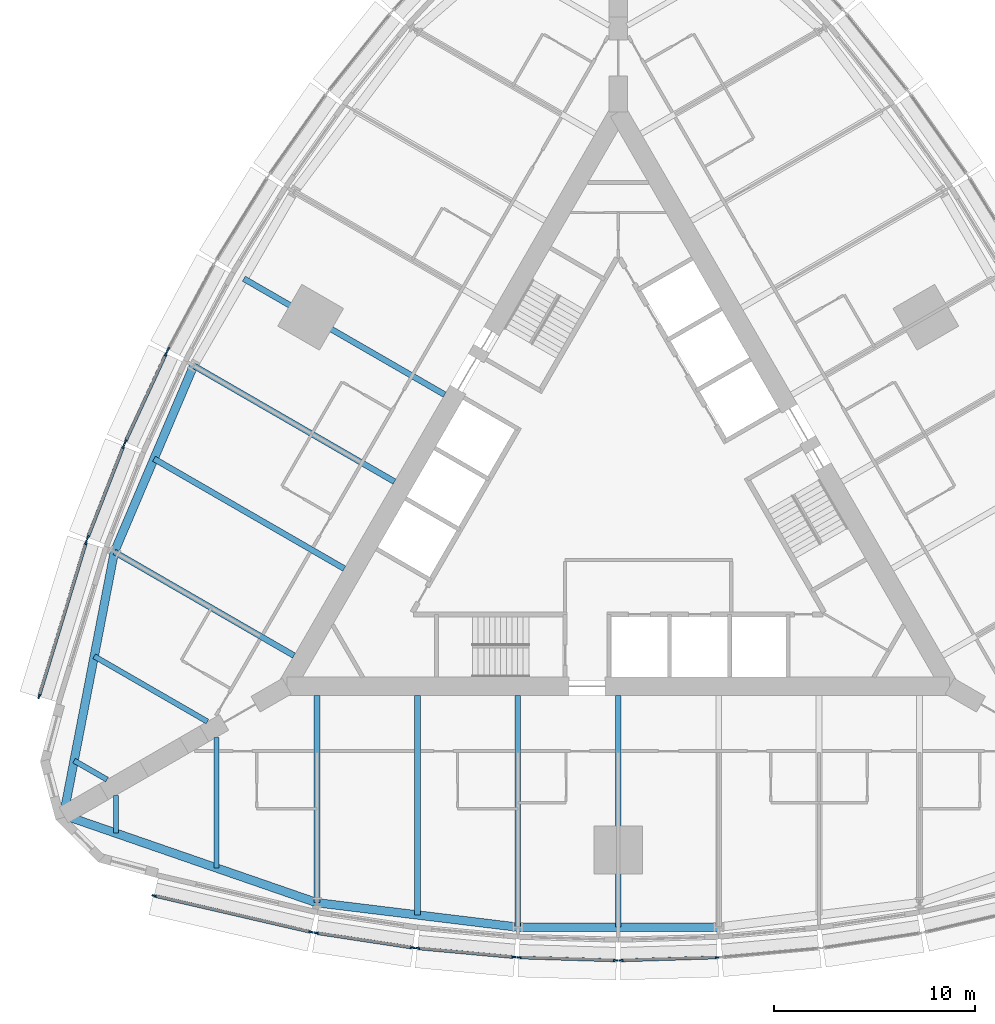
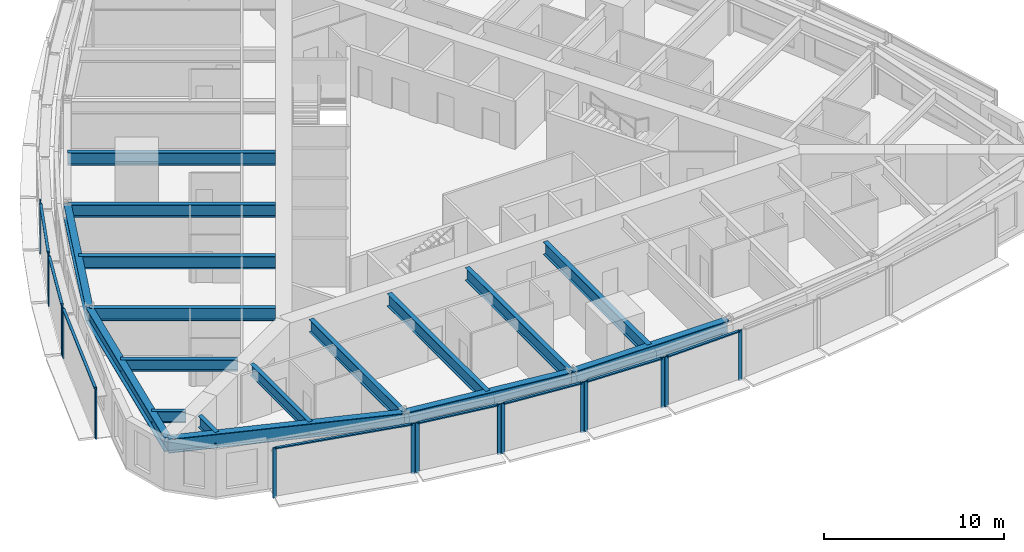
# One storey, part 2 of 14: 25 members, 17 beams, 9 elements without a shape of their own.
"""IFC4 building model written with IfcOpenShell, lengths in metres."""

from ifc_helpers import new_model, si_unit, direction, frame, origin, origin_2d, place, context, subcontext, project, spatial, rectangle, i_section, extrude, material, material_profile, profile_set, type_object, element, aggregate, save


model = new_model("IFC4")

# Units and contexts
model_context = context("Model", 3, precision=1e-05, world=origin(), true_north=direction((0.0, 1.0)))
body_context = subcontext(model_context, "Body", "Model", "MODEL_VIEW")
ifc_project = project(units=[si_unit("LENGTHUNIT", "METRE"), si_unit("AREAUNIT", "SQUARE_METRE"), si_unit("VOLUMEUNIT", "CUBIC_METRE"), si_unit("PLANEANGLEUNIT", "RADIAN"), si_unit("MASSUNIT", "GRAM", prefix="KILO")], contexts=[model_context])

# Site, building, storey
site_placement = place(None, origin())
site = spatial("IfcSite", under=ifc_project, at=site_placement, CompositionType="ELEMENT")
building_placement = place(site_placement, origin())
building = spatial("IfcBuilding", under=site, at=building_placement, Name="Trikona Tower", CompositionType="ELEMENT")
storey_placement = place(building_placement, frame((0.0, 0.0, 89.699951171875)))
storey = spatial("IfcBuildingStorey", under=building, at=storey_placement, Name="L23", CompositionType="ELEMENT", Elevation=89.699951171875)

# Curtain wall, members
ifc_material_1 = material(Name="Aluminium curtain wall system", Category="aluminium")
curtain_wall_type = type_object("IfcCurtainWallType", Name="Curtain wall DS1", PredefinedType="NOTDEFINED", material=ifc_material_1)
curtain_wall_1_placement = place(storey_placement, origin())
curtain_wall_1 = element("IfcCurtainWall", 1, at=curtain_wall_1_placement, inside=storey, type_object=curtain_wall_type, Name="Curtain wall DS1 L23", PredefinedType="NOTDEFINED")
ifc_material_2 = material(Name="Aluminium mullion, pale anodised", Category="aluminium")
ifc_material_profile_1 = material_profile(ifc_material_2, rectangle(XDim=0.080078125, YDim=0.219970703125, at=origin_2d()), Name="MUL-DS1")
ifc_profile_set_1 = profile_set([ifc_material_profile_1], Name="Aluminium mullion, pale anodised")
member_type_1 = type_object("IfcMemberType", Name="Mullion DS1 80x220", PredefinedType="MULLION", material=ifc_profile_set_1)
member_1_placement = place(storey_placement, frame((-23.10546875, -19.951904296875, 0.0), z_axis=(0.0, 0.0, 1.0), x_axis=(0.225343288756, 0.974279427173, 0.0)))
member_1 = element("IfcMember", 2, at=member_1_placement, type_object=member_type_1, Name="CW-DS1 mullion 1", PredefinedType="MULLION", context=body_context, shape_type="SweptSolid", body=[
    extrude(rectangle(XDim=0.080078125, YDim=0.219970703125, at=origin_2d()), origin(), (0.0, 0.0, 1.0), 3.400146484375),
])
member_2_placement = place(storey_placement, frame((-15.30029296875, -21.75732421875, 0.0), z_axis=(0.0, 0.0, 1.0), x_axis=(0.225343288756, 0.974279427173, 0.0)))
member_2 = element("IfcMember", 3, at=member_2_placement, type_object=member_type_1, Name="CW-DS1 mullion 2", PredefinedType="MULLION", context=body_context, shape_type="SweptSolid", body=[
    extrude(rectangle(XDim=0.080078125, YDim=0.219970703125, at=origin_2d()), origin(), (0.0, 0.0, 1.0), 3.400146484375),
])

curtain_wall_2_placement = place(storey_placement, origin())
curtain_wall_2 = element("IfcCurtainWall", 4, at=curtain_wall_2_placement, inside=storey, type_object=curtain_wall_type, Name="Curtain wall DS1 L23", PredefinedType="NOTDEFINED")
member_3_placement = place(storey_placement, frame((-15.03662109375, -21.807861328125, 0.0), z_axis=(0.0, 0.0, 1.0), x_axis=(0.150437693845, 0.988619492156, 0.0)))
member_3 = element("IfcMember", 5, at=member_3_placement, type_object=member_type_1, Name="CW-DS1 mullion 1", PredefinedType="MULLION", context=body_context, shape_type="SweptSolid", body=[
    extrude(rectangle(XDim=0.080078125, YDim=0.219970703125, at=origin_2d()), origin(), (0.0, 0.0, 1.0), 3.400146484375),
])
member_4_placement = place(storey_placement, frame((-10.234130859375, -22.53857421875, 0.0), z_axis=(0.0, 0.0, 1.0), x_axis=(0.150437693845, 0.988619492156, 0.0)))
member_4 = element("IfcMember", 6, at=member_4_placement, type_object=member_type_1, Name="CW-DS1 mullion 2", PredefinedType="MULLION", context=body_context, shape_type="SweptSolid", body=[
    extrude(rectangle(XDim=0.080078125, YDim=0.219970703125, at=origin_2d()), origin(), (0.0, 0.0, 1.0), 3.400146484375),
])

curtain_wall_3_placement = place(storey_placement, origin())
curtain_wall_3 = element("IfcCurtainWall", 7, at=curtain_wall_3_placement, inside=storey, type_object=curtain_wall_type, Name="Curtain wall DS1 L23", PredefinedType="NOTDEFINED")
member_5_placement = place(storey_placement, frame((-9.982177734375, -22.5693359375, 0.0), z_axis=(0.0, 0.0, 1.0), x_axis=(0.090923932737, 0.995857840485, 0.0)))
member_5 = element("IfcMember", 8, at=member_5_placement, type_object=member_type_1, Name="CW-DS1 mullion 1", PredefinedType="MULLION", context=body_context, shape_type="SweptSolid", body=[
    extrude(rectangle(XDim=0.080078125, YDim=0.219970703125, at=origin_2d()), origin(), (0.0, 0.0, 1.0), 3.400146484375),
])
member_6_placement = place(storey_placement, frame((-5.181396484375, -23.007568359375, 0.0), z_axis=(0.0, 0.0, 1.0), x_axis=(0.090923932737, 0.995857840485, 0.0)))
member_6 = element("IfcMember", 9, at=member_6_placement, type_object=member_type_1, Name="CW-DS1 mullion 2", PredefinedType="MULLION", context=body_context, shape_type="SweptSolid", body=[
    extrude(rectangle(XDim=0.080078125, YDim=0.219970703125, at=origin_2d()), origin(), (0.0, 0.0, 1.0), 3.400146484375),
])

curtain_wall_4_placement = place(storey_placement, origin())
curtain_wall_4 = element("IfcCurtainWall", 10, at=curtain_wall_4_placement, inside=storey, type_object=curtain_wall_type, Name="Curtain wall DS1 L23", PredefinedType="NOTDEFINED")
member_7_placement = place(storey_placement, frame((-4.927490234375, -23.02294921875, 0.0), z_axis=(0.0, 0.0, 1.0), x_axis=(0.030436711692, 0.999536695965, 0.0)))
member_7 = element("IfcMember", 11, at=member_7_placement, type_object=member_type_1, Name="CW-DS1 mullion 1", PredefinedType="MULLION", context=body_context, shape_type="SweptSolid", body=[
    extrude(rectangle(XDim=0.080078125, YDim=0.219970703125, at=origin_2d()), origin(), (0.0, 0.0, 1.0), 3.400146484375),
])
member_8_placement = place(storey_placement, frame((-0.12744140625, -23.169189453125, 0.0), z_axis=(0.0, 0.0, 1.0), x_axis=(0.030436711692, 0.999536695965, 0.0)))
member_8 = element("IfcMember", 12, at=member_8_placement, type_object=member_type_1, Name="CW-DS1 mullion 2", PredefinedType="MULLION", context=body_context, shape_type="SweptSolid", body=[
    extrude(rectangle(XDim=0.080078125, YDim=0.219970703125, at=origin_2d()), origin(), (0.0, 0.0, 1.0), 3.400146484375),
])

curtain_wall_5_placement = place(storey_placement, origin())
curtain_wall_5 = element("IfcCurtainWall", 13, at=curtain_wall_5_placement, inside=storey, type_object=curtain_wall_type, Name="Curtain wall DS1 L23", PredefinedType="NOTDEFINED")
member_9_placement = place(storey_placement, frame((0.12744140625, -23.169189453125, 0.0), z_axis=(0.0, 0.0, 1.0), x_axis=(-0.030436711692, 0.999536695965, 0.0)))
member_9 = element("IfcMember", 14, at=member_9_placement, type_object=member_type_1, Name="CW-DS1 mullion 1", PredefinedType="MULLION", context=body_context, shape_type="SweptSolid", body=[
    extrude(rectangle(XDim=0.080078125, YDim=0.219970703125, at=origin_2d()), origin(), (0.0, 0.0, 1.0), 3.400146484375),
])
member_10_placement = place(storey_placement, frame((4.927490234375, -23.02294921875, 0.0), z_axis=(0.0, 0.0, 1.0), x_axis=(-0.030436711692, 0.999536695965, 0.0)))
member_10 = element("IfcMember", 15, at=member_10_placement, type_object=member_type_1, Name="CW-DS1 mullion 2", PredefinedType="MULLION", context=body_context, shape_type="SweptSolid", body=[
    extrude(rectangle(XDim=0.080078125, YDim=0.219970703125, at=origin_2d()), origin(), (0.0, 0.0, 1.0), 3.400146484375),
])

# Curtain wall, member
curtain_wall_6_placement = place(storey_placement, origin())
curtain_wall_6 = element("IfcCurtainWall", 16, at=curtain_wall_6_placement, inside=storey, type_object=curtain_wall_type, Name="Curtain wall DS1 L23", PredefinedType="NOTDEFINED")
member_11_placement = place(storey_placement, frame((-22.402099609375, 7.244140625, 0.0), z_axis=(0.0, 0.0, 1.0), x_axis=(0.880843080975, -0.473408350896, 0.0)))
member_11 = element("IfcMember", 17, at=member_11_placement, type_object=member_type_1, Name="CW-DS1 mullion 2", PredefinedType="MULLION", context=body_context, shape_type="SweptSolid", body=[
    extrude(rectangle(XDim=0.080078125, YDim=0.219970703125, at=origin_2d()), origin(), (0.0, 0.0, 1.0), 3.400146484375),
])
aggregate(curtain_wall_6, [member_11])

# Curtain wall, members
curtain_wall_7_placement = place(storey_placement, origin())
curtain_wall_7 = element("IfcCurtainWall", 18, at=curtain_wall_7_placement, inside=storey, type_object=curtain_wall_type, Name="Curtain wall DS1 L23", PredefinedType="NOTDEFINED")
member_12_placement = place(storey_placement, frame((-22.515869140625, 7.0166015625, 0.0), z_axis=(0.0, 0.0, 1.0), x_axis=(0.907898459992, -0.419190155352, 0.0)))
member_12 = element("IfcMember", 19, at=member_12_placement, type_object=member_type_1, Name="CW-DS1 mullion 1", PredefinedType="MULLION", context=body_context, shape_type="SweptSolid", body=[
    extrude(rectangle(XDim=0.080078125, YDim=0.219970703125, at=origin_2d()), origin(), (0.0, 0.0, 1.0), 3.400146484375),
])
member_13_placement = place(storey_placement, frame((-24.53662109375, 2.6396484375, 0.0), z_axis=(0.0, 0.0, 1.0), x_axis=(0.907898459992, -0.419190155352, 0.0)))
member_13 = element("IfcMember", 20, at=member_13_placement, type_object=member_type_1, Name="CW-DS1 mullion 2", PredefinedType="MULLION", context=body_context, shape_type="SweptSolid", body=[
    extrude(rectangle(XDim=0.080078125, YDim=0.219970703125, at=origin_2d()), origin(), (0.0, 0.0, 1.0), 3.400146484375),
])

curtain_wall_8_placement = place(storey_placement, origin())
curtain_wall_8 = element("IfcCurtainWall", 21, at=curtain_wall_8_placement, inside=storey, type_object=curtain_wall_type, Name="Curtain wall DS1 L23", PredefinedType="NOTDEFINED")
member_14_placement = place(storey_placement, frame((-24.63623046875, 2.40625, 0.0), z_axis=(0.0, 0.0, 1.0), x_axis=(0.931395989443, -0.36400756977, 0.0)))
member_14 = element("IfcMember", 22, at=member_14_placement, type_object=member_type_1, Name="CW-DS1 mullion 1", PredefinedType="MULLION", context=body_context, shape_type="SweptSolid", body=[
    extrude(rectangle(XDim=0.080078125, YDim=0.219970703125, at=origin_2d()), origin(), (0.0, 0.0, 1.0), 3.400146484375),
])
member_15_placement = place(storey_placement, frame((-26.404296875, -2.1181640625, 0.0), z_axis=(0.0, 0.0, 1.0), x_axis=(0.931395989443, -0.36400756977, 0.0)))
member_15 = element("IfcMember", 23, at=member_15_placement, type_object=member_type_1, Name="CW-DS1 mullion 2", PredefinedType="MULLION", context=body_context, shape_type="SweptSolid", body=[
    extrude(rectangle(XDim=0.080078125, YDim=0.219970703125, at=origin_2d()), origin(), (0.0, 0.0, 1.0), 3.400146484375),
])

curtain_wall_9_placement = place(storey_placement, origin())
curtain_wall_9 = element("IfcCurtainWall", 24, at=curtain_wall_9_placement, inside=storey, type_object=curtain_wall_type, Name="Curtain wall DS1 L23", PredefinedType="NOTDEFINED")
member_16_placement = place(storey_placement, frame((-26.492431640625, -2.371826171875, 0.0), z_axis=(0.0, 0.0, 1.0), x_axis=(0.956423115383, -0.291984287868, 0.0)))
member_16 = element("IfcMember", 25, at=member_16_placement, type_object=member_type_1, Name="CW-DS1 mullion 1", PredefinedType="MULLION", context=body_context, shape_type="SweptSolid", body=[
    extrude(rectangle(XDim=0.080078125, YDim=0.219970703125, at=origin_2d()), origin(), (0.0, 0.0, 1.0), 3.400146484375),
])
member_17_placement = place(storey_placement, frame((-28.83154296875, -10.033935546875, 0.0), z_axis=(0.0, 0.0, 1.0), x_axis=(0.956423115383, -0.291984287868, 0.0)))
member_17 = element("IfcMember", 26, at=member_17_placement, type_object=member_type_1, Name="CW-DS1 mullion 2", PredefinedType="MULLION", context=body_context, shape_type="SweptSolid", body=[
    extrude(rectangle(XDim=0.080078125, YDim=0.219970703125, at=origin_2d()), origin(), (0.0, 0.0, 1.0), 3.400146484375),
])

# Beams
ifc_material_3 = material(Name="Steel ASTM A992 Grade 50", Category="steel")
ifc_material_profile_2 = material_profile(ifc_material_3, i_section(OverallWidth=0.2666015625, OverallDepth=0.76953125, WebThickness=0.015625, FlangeThickness=0.025390625, at=origin_2d()), Name="W30X132")
ifc_profile_set_2 = profile_set([ifc_material_profile_2], Name="Steel ASTM A992 Grade 50")
beam_type_1 = type_object("IfcBeamType", Name="Steel beam W30x132 (wedge)", PredefinedType="BEAM", material=ifc_profile_set_2)
beam_1_placement = place(storey_placement, frame((-25.0, -14.953369140625, 2.850341796875), z_axis=(0.0, -1.0, 0.0), x_axis=(1.0, 0.0, 0.0)))
element("IfcBeam", 27, at=beam_1_placement, inside=storey, type_object=beam_type_1, Name="Floor beam L24 F1 u-25", PredefinedType="BEAM", context=body_context, shape_type="SweptSolid", body=[
    extrude(i_section(OverallWidth=0.2666015625, OverallDepth=0.76953125, WebThickness=0.015625, FlangeThickness=0.025390625, at=origin_2d()), origin(), (0.0, 0.0, 1.0), 1.890380859375),
])
for number, where, z_axis, x_axis, name in (
    (28, (-20.0, -12.066650390625, 2.850341796875), (0.0, -1.0, 0.0), (1.0, 0.0, 0.0), "Floor beam L24 F1 u-20"),
    (29, (-20.449951171875, -11.287109375, 2.850341796875), (-0.866022504693, 0.50000502134, 0.0), (-0.50000502134, -0.866022504693, 0.0), "Floor beam L24 F3 u20"),
):
    element("IfcBeam", number, at=place(storey_placement, frame(where, z_axis=z_axis, x_axis=x_axis)), inside=storey, type_object=beam_type_1, Name=name, PredefinedType="BEAM", context=body_context, shape_type="SweptSolid", body=[
        extrude(i_section(OverallWidth=0.2666015625, OverallDepth=0.76953125, WebThickness=0.015625, FlangeThickness=0.025390625, at=origin_2d()), origin(), (0.0, 0.0, 1.0), 6.5068359375),
    ])
beam_2_placement = place(storey_placement, frame((-25.449951171875, -14.173828125, 2.850341796875), z_axis=(-0.866065156741, 0.499931139538, 0.0), x_axis=(-0.499931139538, -0.866065156741, 0.0)))
element("IfcBeam", 30, at=beam_2_placement, inside=storey, type_object=beam_type_1, Name="Floor beam L24 F3 u25", PredefinedType="BEAM", context=body_context, shape_type="SweptSolid", body=[
    extrude(i_section(OverallWidth=0.2666015625, OverallDepth=0.76953125, WebThickness=0.015625, FlangeThickness=0.025390625, at=origin_2d()), origin(), (0.0, 0.0, 1.0), 1.890380859375),
])
ifc_material_4 = material(Name="Steel ASTM A992 Grade 50", Category="steel")
ifc_material_profile_3 = material_profile(ifc_material_4, i_section(OverallWidth=0.2919921875, OverallDepth=0.845703125, WebThickness=0.015380859375, FlangeThickness=0.0244140625, at=origin_2d()), Name="W33X141")
ifc_profile_set_3 = profile_set([ifc_material_profile_3], Name="Steel ASTM A992 Grade 50")
beam_type_2 = type_object("IfcBeamType", Name="Steel beam W33x141 (radial typ)", PredefinedType="BEAM", material=ifc_profile_set_3)
beam_3_placement = place(storey_placement, frame((-15.0, -9.976318359375, 2.812255859375), z_axis=(0.0, -1.0, 0.0), x_axis=(1.0, 0.0, 0.0)))
element("IfcBeam", 31, at=beam_3_placement, inside=storey, type_object=beam_type_2, Name="Floor beam L24 F1 u-15", PredefinedType="BEAM", context=body_context, shape_type="SweptSolid", body=[
    extrude(i_section(OverallWidth=0.2919921875, OverallDepth=0.845703125, WebThickness=0.015380859375, FlangeThickness=0.0244140625, at=origin_2d()), origin(), (0.0, 0.0, 1.0), 10.32666015625),
])
beam_4_placement = place(storey_placement, frame((-10.0, -9.976318359375, 2.812255859375), z_axis=(0.0, -1.0, 0.0), x_axis=(1.0, 0.0, 0.0)))
element("IfcBeam", 32, at=beam_4_placement, inside=storey, type_object=beam_type_2, Name="Floor beam L24 F1 u-10", PredefinedType="BEAM", context=body_context, shape_type="SweptSolid", body=[
    extrude(i_section(OverallWidth=0.2919921875, OverallDepth=0.845703125, WebThickness=0.015380859375, FlangeThickness=0.0244140625, at=origin_2d()), origin(), (0.0, 0.0, 1.0), 10.935302734375),
])
for number, where, z_axis, x_axis, name in (
    (33, (-5.0, -9.976318359375, 2.812255859375), (0.0, -1.0, 0.0), (1.0, 0.0, 0.0), "Floor beam L24 F1 u-5"),
    (34, (0.0, -9.976318359375, 2.812255859375), (0.0, -1.0, 0.0), (1.0, 0.0, 0.0), "Floor beam L24 F1 u0"),
    (35, (-8.6396484375, 4.988037109375, 2.812255859375), (-0.866020765707, 0.500008033299, 0.0), (-0.500008033299, -0.866020765707, 0.0), "Floor beam L24 F3 u0"),
    (36, (-11.1396484375, 0.657958984375, 2.812255859375), (-0.866020765707, 0.500008033299, 0.0), (-0.500008033299, -0.866020765707, 0.0), "Floor beam L24 F3 u5"),
):
    element("IfcBeam", number, at=place(storey_placement, frame(where, z_axis=z_axis, x_axis=x_axis)), inside=storey, type_object=beam_type_2, Name=name, PredefinedType="BEAM", context=body_context, shape_type="SweptSolid", body=[
        extrude(i_section(OverallWidth=0.2919921875, OverallDepth=0.845703125, WebThickness=0.015380859375, FlangeThickness=0.0244140625, at=origin_2d()), origin(), (0.0, 0.0, 1.0), 11.544189453125),
    ])
beam_5_placement = place(storey_placement, frame((-13.6396484375, -3.672119140625, 2.812255859375), z_axis=(-0.866025348605, 0.500000095573, 0.0), x_axis=(-0.500000095573, -0.866025348605, 0.0)))
element("IfcBeam", 37, at=beam_5_placement, inside=storey, type_object=beam_type_2, Name="Floor beam L24 F3 u10", PredefinedType="BEAM", context=body_context, shape_type="SweptSolid", body=[
    extrude(i_section(OverallWidth=0.2919921875, OverallDepth=0.845703125, WebThickness=0.015380859375, FlangeThickness=0.0244140625, at=origin_2d()), origin(), (0.0, 0.0, 1.0), 10.935546875),
])
beam_6_placement = place(storey_placement, frame((-16.1396484375, -8.002197265625, 2.812255859375), z_axis=(-0.866030471684, 0.499991222037, 0.0), x_axis=(-0.499991222037, -0.866030471684, 0.0)))
element("IfcBeam", 38, at=beam_6_placement, inside=storey, type_object=beam_type_2, Name="Floor beam L24 F3 u15", PredefinedType="BEAM", context=body_context, shape_type="SweptSolid", body=[
    extrude(i_section(OverallWidth=0.2919921875, OverallDepth=0.845703125, WebThickness=0.015380859375, FlangeThickness=0.0244140625, at=origin_2d()), origin(), (0.0, 0.0, 1.0), 10.326904296875),
])
ifc_material_5 = material(Name="Steel ASTM A992 Grade 50", Category="steel")
ifc_material_profile_4 = material_profile(ifc_material_5, i_section(OverallWidth=0.424072265625, OverallDepth=0.947509765625, WebThickness=0.02392578125, FlangeThickness=0.042724609375, at=origin_2d()), Name="W36X302")
ifc_profile_set_4 = profile_set([ifc_material_profile_4], Name="Steel ASTM A992 Grade 50")
beam_type_3 = type_object("IfcBeamType", Name="Steel beam W36x302 (spandrel)", PredefinedType="SPANDREL", material=ifc_profile_set_4)
beam_7_placement = place(storey_placement, frame((-27.6103515625, -15.94091796875, 2.76123046875), z_axis=(0.945056965739, -0.326905692071, 0.0), x_axis=(0.326905692071, 0.945056965739, 0.0)))
element("IfcBeam", 39, at=beam_7_placement, inside=storey, type_object=beam_type_3, Name="Spandrel beam L24 F1-1", PredefinedType="SPANDREL", context=body_context, shape_type="SweptSolid", body=[
    extrude(i_section(OverallWidth=0.424072265625, OverallDepth=0.947509765625, WebThickness=0.02392578125, FlangeThickness=0.042724609375, at=origin_2d()), origin(), (0.0, 0.0, 1.0), 13.343505859375),
])
beam_8_placement = place(storey_placement, frame((-15.0, -20.302978515625, 2.76123046875), z_axis=(0.99266951126, -0.120860421207, 0.0), x_axis=(0.120860421207, 0.99266951126, 0.0)))
element("IfcBeam", 40, at=beam_8_placement, inside=storey, type_object=beam_type_3, Name="Spandrel beam L24 F1-2", PredefinedType="SPANDREL", context=body_context, shape_type="SweptSolid", body=[
    extrude(i_section(OverallWidth=0.424072265625, OverallDepth=0.947509765625, WebThickness=0.02392578125, FlangeThickness=0.042724609375, at=origin_2d()), origin(), (0.0, 0.0, 1.0), 10.07373046875),
])
beam_9_placement = place(storey_placement, frame((-5.0, -21.5205078125, 2.76123046875), z_axis=(1.0, 0.0, 0.0), x_axis=(0.0, 1.0, 0.0)))
element("IfcBeam", 41, at=beam_9_placement, inside=storey, type_object=beam_type_3, Name="Spandrel beam L24 F1-3", PredefinedType="SPANDREL", context=body_context, shape_type="SweptSolid", body=[
    extrude(i_section(OverallWidth=0.424072265625, OverallDepth=0.947509765625, WebThickness=0.02392578125, FlangeThickness=0.042724609375, at=origin_2d()), origin(), (0.0, 0.0, 1.0), 10.0),
])
beam_10_placement = place(storey_placement, frame((-21.13720703125, 6.43017578125, 2.76123046875), z_axis=(-0.391683514847, -0.920100007715, 0.0), x_axis=(0.920100007715, -0.391683514847, 0.0)))
element("IfcBeam", 42, at=beam_10_placement, inside=storey, type_object=beam_type_3, Name="Spandrel beam L24 F3-4", PredefinedType="SPANDREL", context=body_context, shape_type="SweptSolid", body=[
    extrude(i_section(OverallWidth=0.424072265625, OverallDepth=0.947509765625, WebThickness=0.02392578125, FlangeThickness=0.042724609375, at=origin_2d()), origin(), (0.0, 0.0, 1.0), 10.073974609375),
])
beam_11_placement = place(storey_placement, frame((-25.0830078125, -2.8388671875, 2.76123046875), z_axis=(-0.189405184036, -0.981899015307, 0.0), x_axis=(0.981899015307, -0.189405184036, 0.0)))
element("IfcBeam", 43, at=beam_11_placement, inside=storey, type_object=beam_type_3, Name="Spandrel beam L24 F3-5", PredefinedType="SPANDREL", context=body_context, shape_type="SweptSolid", body=[
    extrude(i_section(OverallWidth=0.424072265625, OverallDepth=0.947509765625, WebThickness=0.02392578125, FlangeThickness=0.042724609375, at=origin_2d()), origin(), (0.0, 0.0, 1.0), 13.343505859375),
])

# Member
ifc_material_6 = material(Name="Aluminium transom, pale anodised", Category="aluminium")
ifc_material_profile_5 = material_profile(ifc_material_6, rectangle(XDim=0.159912109375, YDim=0.080078125, at=origin_2d()), Name="TRN-DS1")
ifc_profile_set_5 = profile_set([ifc_material_profile_5], Name="Aluminium transom, pale anodised")
member_type_2 = type_object("IfcMemberType", Name="Transom DS1 80x160", PredefinedType="USERDEFINED", material=ifc_profile_set_5)
member_18_placement = place(storey_placement, frame((-23.06640625, -19.9609375, 3.360107421875), z_axis=(0.974275371842, -0.225360821398, 0.0), x_axis=(0.225360821398, 0.974275371842, 0.0)))
member_18 = element("IfcMember", 44, at=member_18_placement, type_object=member_type_2, Name="CW-DS1 transom 1.1", ObjectType="TRANSOM", PredefinedType="USERDEFINED", context=body_context, shape_type="SweptSolid", body=[
    extrude(rectangle(XDim=0.159912109375, YDim=0.080078125, at=origin_2d()), origin(), (0.0, 0.0, 1.0), 7.93115234375),
])

aggregate(curtain_wall_1, [member_1, member_2, member_18])

member_19_placement = place(storey_placement, frame((-14.9970703125, -21.813720703125, 3.360107421875), z_axis=(0.988619663412, -0.150436568413, 0.0), x_axis=(0.150436568413, 0.988619663412, 0.0)))
member_19 = element("IfcMember", 45, at=member_19_placement, type_object=member_type_2, Name="CW-DS1 transom 1.1", ObjectType="TRANSOM", PredefinedType="USERDEFINED", context=body_context, shape_type="SweptSolid", body=[
    extrude(rectangle(XDim=0.159912109375, YDim=0.080078125, at=origin_2d()), origin(), (0.0, 0.0, 1.0), 4.77783203125),
])

aggregate(curtain_wall_2, [member_3, member_4, member_19])

member_20_placement = place(storey_placement, frame((-9.9423828125, -22.57275390625, 3.360107421875), z_axis=(0.995855977008, -0.090944340438, 0.0), x_axis=(0.090944340438, 0.995855977008, 0.0)))
member_20 = element("IfcMember", 46, at=member_20_placement, type_object=member_type_2, Name="CW-DS1 transom 1.1", ObjectType="TRANSOM", PredefinedType="USERDEFINED", context=body_context, shape_type="SweptSolid", body=[
    extrude(rectangle(XDim=0.159912109375, YDim=0.080078125, at=origin_2d()), origin(), (0.0, 0.0, 1.0), 4.74072265625),
])

aggregate(curtain_wall_3, [member_5, member_6, member_20])

member_21_placement = place(storey_placement, frame((-4.887451171875, -23.024169921875, 3.360107421875), z_axis=(0.999536232946, -0.030451913371, 0.0), x_axis=(0.030451913371, 0.999536232946, 0.0)))
member_21 = element("IfcMember", 47, at=member_21_placement, type_object=member_type_2, Name="CW-DS1 transom 1.1", ObjectType="TRANSOM", PredefinedType="USERDEFINED", context=body_context, shape_type="SweptSolid", body=[
    extrude(rectangle(XDim=0.159912109375, YDim=0.080078125, at=origin_2d()), origin(), (0.0, 0.0, 1.0), 4.72216796875),
])

aggregate(curtain_wall_4, [member_7, member_8, member_21])

member_22_placement = place(storey_placement, frame((0.16748046875, -23.16796875, 3.360107421875), z_axis=(0.999536232946, 0.030451913371, 0.0), x_axis=(-0.030451913371, 0.999536232946, 0.0)))
member_22 = element("IfcMember", 48, at=member_22_placement, type_object=member_type_2, Name="CW-DS1 transom 1.1", ObjectType="TRANSOM", PredefinedType="USERDEFINED", context=body_context, shape_type="SweptSolid", body=[
    extrude(rectangle(XDim=0.159912109375, YDim=0.080078125, at=origin_2d()), origin(), (0.0, 0.0, 1.0), 4.72216796875),
])

aggregate(curtain_wall_5, [member_9, member_10, member_22])

member_23_placement = place(storey_placement, frame((-22.53271484375, 6.980224609375, 3.360107421875), z_axis=(-0.419188800665, -0.90789908547, 0.0), x_axis=(0.90789908547, -0.419188800665, 0.0)))
member_23 = element("IfcMember", 49, at=member_23_placement, type_object=member_type_2, Name="CW-DS1 transom 1.1", ObjectType="TRANSOM", PredefinedType="USERDEFINED", context=body_context, shape_type="SweptSolid", body=[
    extrude(rectangle(XDim=0.159912109375, YDim=0.080078125, at=origin_2d()), origin(), (0.0, 0.0, 1.0), 4.74072265625),
])

aggregate(curtain_wall_7, [member_12, member_13, member_23])

member_24_placement = place(storey_placement, frame((-24.650634765625, 2.368896484375, 3.360107421875), z_axis=(-0.364048647668, -0.931379934362, 0.0), x_axis=(0.931379934362, -0.364048647668, 0.0)))
member_24 = element("IfcMember", 50, at=member_24_placement, type_object=member_type_2, Name="CW-DS1 transom 1.1", ObjectType="TRANSOM", PredefinedType="USERDEFINED", context=body_context, shape_type="SweptSolid", body=[
    extrude(rectangle(XDim=0.159912109375, YDim=0.080078125, at=origin_2d()), origin(), (0.0, 0.0, 1.0), 4.777587890625),
])

aggregate(curtain_wall_8, [member_14, member_15, member_24])

member_25_placement = place(storey_placement, frame((-26.504150390625, -2.409912109375, 3.360107421875), z_axis=(-0.291967490203, -0.956428243343, 0.0), x_axis=(0.956428243343, -0.291967490203, 0.0)))
member_25 = element("IfcMember", 51, at=member_25_placement, type_object=member_type_2, Name="CW-DS1 transom 1.1", ObjectType="TRANSOM", PredefinedType="USERDEFINED", context=body_context, shape_type="SweptSolid", body=[
    extrude(rectangle(XDim=0.159912109375, YDim=0.080078125, at=origin_2d()), origin(), (0.0, 0.0, 1.0), 7.93115234375),
])

aggregate(curtain_wall_9, [member_16, member_17, member_25])

save(model, "model.ifc")
